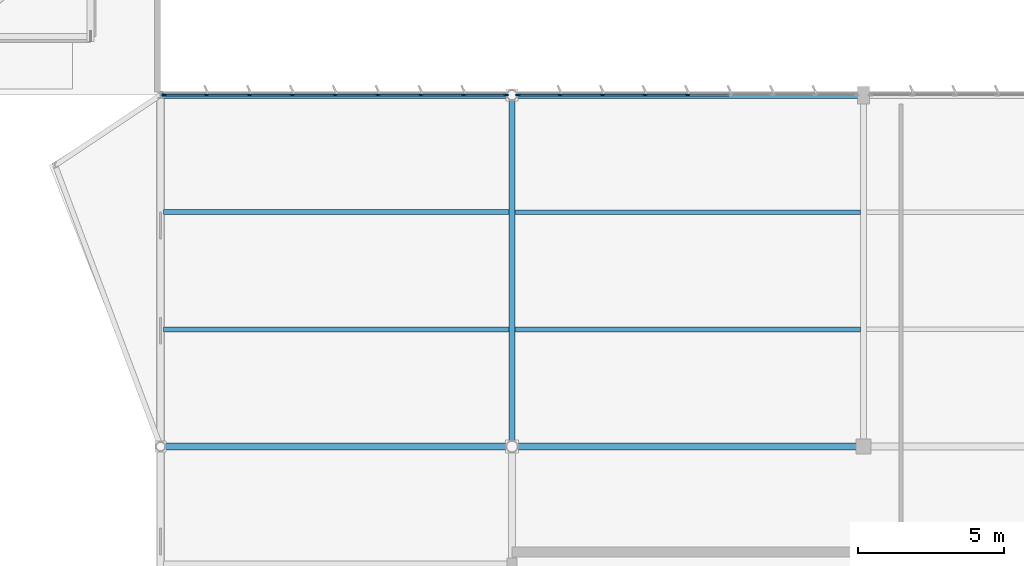
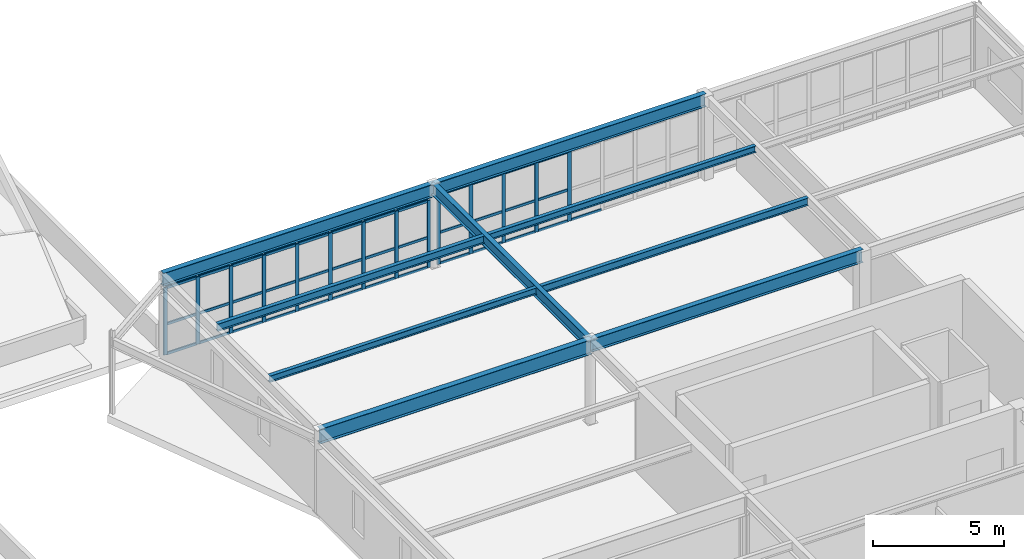
# One storey, part 57 of 128: 51 members, 9 beams, 2 elements without a shape of their own.
"""IFC4 building model written with IfcOpenShell, lengths in metres."""

from ifc_helpers import new_model, si_unit, direction, frame, origin, origin_2d, place, context, subcontext, project, spatial, rectangle, i_section, extrude, material, layer, layer_set, material_profile, profile_set, type_object, element, aggregate, save


model = new_model("IFC4")

# Units and contexts
model_context = context("Model", 3, precision=1e-05, world=origin(), true_north=direction((0.0, 1.0)))
body_context = subcontext(model_context, "Body", "Model", "MODEL_VIEW")
ifc_project = project(units=[si_unit("LENGTHUNIT", "METRE"), si_unit("AREAUNIT", "SQUARE_METRE"), si_unit("VOLUMEUNIT", "CUBIC_METRE"), si_unit("PLANEANGLEUNIT", "RADIAN"), si_unit("MASSUNIT", "GRAM", prefix="KILO")], contexts=[model_context])

# Site, building, storey
site_placement = place(None, origin())
site = spatial("IfcSite", under=ifc_project, at=site_placement, CompositionType="ELEMENT")
building_placement = place(site_placement, origin())
building = spatial("IfcBuilding", under=site, at=building_placement, Name="Tarnwether General Hospital", CompositionType="ELEMENT")
storey_placement = place(building_placement, frame((0.0, 0.0, 14.39990234375)))
storey = spatial("IfcBuildingStorey", under=building, at=storey_placement, Name="L03", CompositionType="ELEMENT", Elevation=14.39990234375)

# Beams
ifc_material_1 = material(Name="Steel Grade 350 (350 MPa)", Category="steel")
ifc_material_profile_1 = material_profile(ifc_material_1, i_section(OverallWidth=0.25, OverallDepth=0.69189453125, WebThickness=0.009033203125, FlangeThickness=0.01611328125, at=origin_2d()), Name="700WB115")
ifc_profile_set_1 = profile_set([ifc_material_profile_1], Name="Steel Grade 350 (350 MPa)")
beam_type_1 = type_object("IfcBeamType", Name="BM-G02", PredefinedType="BEAM", material=ifc_profile_set_1)
beam_1_placement = place(storey_placement, frame((144.0, 33.60009765625, 3.55419921875), z_axis=(1.0, 0.0, 0.0), x_axis=(0.0, 1.0, 0.0)))
element("IfcBeam", 1, at=beam_1_placement, inside=storey, type_object=beam_type_1, Name="Primary Girder BMG-L03-14400_3360-15600_3360-1760", PredefinedType="BEAM", context=body_context, shape_type="SweptSolid", body=[
    extrude(i_section(OverallWidth=0.25, OverallDepth=0.69189453125, WebThickness=0.009033203125, FlangeThickness=0.01611328125, at=origin_2d()), origin(), (0.0, 0.0, 1.0), 12.0),
])
ifc_material_2 = material(Name="Steel Grade 350 (350 MPa)", Category="steel")
ifc_material_profile_2 = material_profile(ifc_material_2, i_section(OverallWidth=0.22900390625, OverallDepth=0.612060546875, WebThickness=0.011962890625, FlangeThickness=0.01953125, at=origin_2d()), Name="610UB125")
ifc_profile_set_2 = profile_set([ifc_material_profile_2], Name="Steel Grade 350 (350 MPa)")
beam_type_2 = type_object("IfcBeamType", Name="BM-G03", PredefinedType="BEAM", material=ifc_profile_set_2)
for number, where, z_axis, x_axis, name in (
    (2, (144.0, 45.60009765625, 3.593994140625), (1.0, 0.0, 0.0), (0.0, 1.0, 0.0), "Primary Girder BMG-L03-14400_4560-15600_4560-1762"),
    (3, (156.0, 33.60009765625, 3.593994140625), (1.0, 0.0, 0.0), (0.0, 1.0, 0.0), "Primary Girder BMG-L03-15600_3360-16800_3360-1778"),
):
    element("IfcBeam", number, at=place(storey_placement, frame(where, z_axis=z_axis, x_axis=x_axis)), inside=storey, type_object=beam_type_2, Name=name, PredefinedType="BEAM", context=body_context, shape_type="SweptSolid", body=[
        extrude(i_section(OverallWidth=0.22900390625, OverallDepth=0.612060546875, WebThickness=0.011962890625, FlangeThickness=0.01953125, at=origin_2d()), origin(), (0.0, 0.0, 1.0), 12.0),
    ])
ifc_material_3 = material(Name="Steel Grade 350 (350 MPa)", Category="steel")
ifc_material_profile_3 = material_profile(ifc_material_3, i_section(OverallWidth=0.22802734375, OverallDepth=0.60693359375, WebThickness=0.01123046875, FlangeThickness=0.017333984375, at=origin_2d()), Name="610UB113")
ifc_profile_set_3 = profile_set([ifc_material_profile_3], Name="Steel Grade 350 (350 MPa)")
beam_type_3 = type_object("IfcBeamType", Name="BM-G04", PredefinedType="BEAM", material=ifc_profile_set_3)
beam_2_placement = place(storey_placement, frame((156.0, 45.60009765625, 3.5966796875), z_axis=(1.0, 0.0, 0.0), x_axis=(0.0, 1.0, 0.0)))
element("IfcBeam", 4, at=beam_2_placement, inside=storey, type_object=beam_type_3, Name="Primary Girder BMG-L03-15600_4560-16800_4560-1780", PredefinedType="BEAM", context=body_context, shape_type="SweptSolid", body=[
    extrude(i_section(OverallWidth=0.22802734375, OverallDepth=0.60693359375, WebThickness=0.01123046875, FlangeThickness=0.017333984375, at=origin_2d()), origin(), (0.0, 0.0, 1.0), 12.0),
])
ifc_material_4 = material(Name="Steel Grade 350 (350 MPa)", Category="steel")
ifc_material_profile_4 = material_profile(ifc_material_4, i_section(OverallWidth=0.208984375, OverallDepth=0.532958984375, WebThickness=0.01025390625, FlangeThickness=0.015625, at=origin_2d()), Name="530UB92.4")
ifc_profile_set_4 = profile_set([ifc_material_profile_4], Name="Steel Grade 350 (350 MPa)")
beam_type_4 = type_object("IfcBeamType", Name="BM-G06", PredefinedType="BEAM", material=ifc_profile_set_4)
beam_3_placement = place(storey_placement, frame((156.0, 33.60009765625, 3.633544921875), z_axis=(0.0, 1.0, 0.0), x_axis=(-1.0, 0.0, 0.0)))
element("IfcBeam", 5, at=beam_3_placement, inside=storey, type_object=beam_type_4, Name="Primary Girder BMG-L03-15600_3360-15600_4560-1779", PredefinedType="BEAM", context=body_context, shape_type="SweptSolid", body=[
    extrude(i_section(OverallWidth=0.208984375, OverallDepth=0.532958984375, WebThickness=0.01025390625, FlangeThickness=0.015625, at=origin_2d()), origin(), (0.0, 0.0, 1.0), 12.0),
])
ifc_material_5 = material(Name="Steel Grade 350 (350 MPa)", Category="steel")
ifc_material_profile_5 = material_profile(ifc_material_5, i_section(OverallWidth=0.166015625, OverallDepth=0.306884765625, WebThickness=0.006591796875, FlangeThickness=0.01171875, at=origin_2d()), Name="310UB46.2")
ifc_profile_set_5 = profile_set([ifc_material_profile_5], Name="Steel Grade 350 (350 MPa)")
beam_type_5 = type_object("IfcBeamType", Name="BM-J05", PredefinedType="JOIST", material=ifc_profile_set_5)
beam_4_placement = place(storey_placement, frame((144.10791015625, 37.60009765625, 3.74658203125), z_axis=(1.0, 0.0, 0.0), x_axis=(0.0, 1.0, 0.0)))
element("IfcBeam", 6, at=beam_4_placement, inside=storey, type_object=beam_type_5, Name="Composite Floor Joist BMG-L03-14411_3760-15590_3760-1820", PredefinedType="JOIST", context=body_context, shape_type="SweptSolid", body=[
    extrude(i_section(OverallWidth=0.166015625, OverallDepth=0.306884765625, WebThickness=0.006591796875, FlangeThickness=0.01171875, at=origin_2d()), origin(), (0.0, 0.0, 1.0), 11.79296875),
])
ifc_material_6 = material(Name="Steel Grade 350 (350 MPa)", Category="steel")
ifc_material_profile_6 = material_profile(ifc_material_6, i_section(OverallWidth=0.1708984375, OverallDepth=0.35205078125, WebThickness=0.0068359375, FlangeThickness=0.009765625, at=origin_2d()), Name="360UB44.7")
ifc_profile_set_6 = profile_set([ifc_material_profile_6], Name="Steel Grade 350 (350 MPa)")
beam_type_6 = type_object("IfcBeamType", Name="BM-J06", PredefinedType="JOIST", material=ifc_profile_set_6)
beam_5_placement = place(storey_placement, frame((144.10791015625, 41.60009765625, 3.72412109375), z_axis=(1.0, 0.0, 0.0), x_axis=(0.0, 1.0, 0.0)))
element("IfcBeam", 7, at=beam_5_placement, inside=storey, type_object=beam_type_6, Name="Composite Floor Joist BMG-L03-14411_4160-15590_4160-1821", PredefinedType="JOIST", context=body_context, shape_type="SweptSolid", body=[
    extrude(i_section(OverallWidth=0.1708984375, OverallDepth=0.35205078125, WebThickness=0.0068359375, FlangeThickness=0.009765625, at=origin_2d()), origin(), (0.0, 0.0, 1.0), 11.79296875),
])
beam_6_placement = place(storey_placement, frame((156.09912109375, 37.60009765625, 3.72412109375), z_axis=(1.0, 0.0, 0.0), x_axis=(0.0, 1.0, 0.0)))
element("IfcBeam", 8, at=beam_6_placement, inside=storey, type_object=beam_type_6, Name="Composite Floor Joist BMG-L03-15610_3760-16790_3760-1834", PredefinedType="JOIST", context=body_context, shape_type="SweptSolid", body=[
    extrude(i_section(OverallWidth=0.1708984375, OverallDepth=0.35205078125, WebThickness=0.0068359375, FlangeThickness=0.009765625, at=origin_2d()), origin(), (0.0, 0.0, 1.0), 11.8017578125),
])
ifc_material_7 = material(Name="Steel Grade 350 (350 MPa)", Category="steel")
ifc_material_profile_7 = material_profile(ifc_material_7, i_section(OverallWidth=0.1650390625, OverallDepth=0.303955078125, WebThickness=0.006103515625, FlangeThickness=0.01025390625, at=origin_2d()), Name="310UB40.4")
ifc_profile_set_7 = profile_set([ifc_material_profile_7], Name="Steel Grade 350 (350 MPa)")
beam_type_7 = type_object("IfcBeamType", Name="BM-J07", PredefinedType="JOIST", material=ifc_profile_set_7)
beam_7_placement = place(storey_placement, frame((156.09912109375, 41.60009765625, 3.748046875), z_axis=(1.0, 0.0, 0.0), x_axis=(0.0, 1.0, 0.0)))
element("IfcBeam", 9, at=beam_7_placement, inside=storey, type_object=beam_type_7, Name="Composite Floor Joist BMG-L03-15610_4160-16790_4160-1835", PredefinedType="JOIST", context=body_context, shape_type="SweptSolid", body=[
    extrude(i_section(OverallWidth=0.1650390625, OverallDepth=0.303955078125, WebThickness=0.006103515625, FlangeThickness=0.01025390625, at=origin_2d()), origin(), (0.0, 0.0, 1.0), 11.8017578125),
])

# Curtain wall, members
ifc_material_8 = material(Name="Anodised aluminium", Category="aluminium")
ifc_layer = layer(ifc_material_8, 0.159912109375)
ifc_layer_set = layer_set([ifc_layer], Name="Anodised aluminium")
curtain_wall_type = type_object("IfcCurtainWallType", Name="CW-18", PredefinedType="NOTDEFINED", material=ifc_layer_set)
curtain_wall_1_placement = place(storey_placement, origin())
curtain_wall_1 = element("IfcCurtainWall", 10, at=curtain_wall_1_placement, inside=storey, type_object=curtain_wall_type, Name="Curtain Wall CWG-L03-1441_456-0476", PredefinedType="NOTDEFINED")
ifc_material_9 = material(Name="Anodised aluminium", Category="aluminium")
ifc_material_profile_8 = material_profile(ifc_material_9, rectangle(XDim=0.06005859375, YDim=0.159912109375, at=origin_2d()), Name="ALU-MUL-60x160")
ifc_profile_set_8 = profile_set([ifc_material_profile_8], Name="Anodised aluminium")
member_type_1 = type_object("IfcMemberType", Name="CW-ML1", PredefinedType="MULLION", material=ifc_profile_set_8)
member_1_placement = place(storey_placement, frame((144.138916015625, 45.60009765625, 0.0), z_axis=(0.0, 0.0, 1.0), x_axis=(0.0, 1.0, 0.0)))
member_1 = element("IfcMember", 11, at=member_1_placement, type_object=member_type_1, Name="CW-18 mullion 1", PredefinedType="MULLION", context=body_context, shape_type="SweptSolid", body=[
    extrude(rectangle(XDim=0.06005859375, YDim=0.159912109375, at=origin_2d()), origin(), (0.0, 0.0, 1.0), 3.14208984375),
])
member_2_placement = place(storey_placement, frame((145.572021484375, 45.60009765625, 0.0), z_axis=(0.0, 0.0, 1.0), x_axis=(0.0, 1.0, 0.0)))
member_2 = element("IfcMember", 12, at=member_2_placement, type_object=member_type_1, Name="CW-18 mullion 2", PredefinedType="MULLION", context=body_context, shape_type="SweptSolid", body=[
    extrude(rectangle(XDim=0.06005859375, YDim=0.159912109375, at=origin_2d()), origin(), (0.0, 0.0, 1.0), 3.14208984375),
])
member_3_placement = place(storey_placement, frame((147.03515625, 45.60009765625, 0.0), z_axis=(0.0, 0.0, 1.0), x_axis=(0.0, 1.0, 0.0)))
member_3 = element("IfcMember", 13, at=member_3_placement, type_object=member_type_1, Name="CW-18 mullion 3", PredefinedType="MULLION", context=body_context, shape_type="SweptSolid", body=[
    extrude(rectangle(XDim=0.06005859375, YDim=0.159912109375, at=origin_2d()), origin(), (0.0, 0.0, 1.0), 3.14208984375),
])
member_4_placement = place(storey_placement, frame((148.498291015625, 45.60009765625, 0.0), z_axis=(0.0, 0.0, 1.0), x_axis=(0.0, 1.0, 0.0)))
member_4 = element("IfcMember", 14, at=member_4_placement, type_object=member_type_1, Name="CW-18 mullion 4", PredefinedType="MULLION", context=body_context, shape_type="SweptSolid", body=[
    extrude(rectangle(XDim=0.06005859375, YDim=0.159912109375, at=origin_2d()), origin(), (0.0, 0.0, 1.0), 3.14208984375),
])
member_5_placement = place(storey_placement, frame((149.96142578125, 45.60009765625, 0.0), z_axis=(0.0, 0.0, 1.0), x_axis=(0.0, 1.0, 0.0)))
member_5 = element("IfcMember", 15, at=member_5_placement, type_object=member_type_1, Name="CW-18 mullion 5", PredefinedType="MULLION", context=body_context, shape_type="SweptSolid", body=[
    extrude(rectangle(XDim=0.06005859375, YDim=0.159912109375, at=origin_2d()), origin(), (0.0, 0.0, 1.0), 3.14208984375),
])
member_6_placement = place(storey_placement, frame((151.424560546875, 45.60009765625, 0.0), z_axis=(0.0, 0.0, 1.0), x_axis=(0.0, 1.0, 0.0)))
member_6 = element("IfcMember", 16, at=member_6_placement, type_object=member_type_1, Name="CW-18 mullion 6", PredefinedType="MULLION", context=body_context, shape_type="SweptSolid", body=[
    extrude(rectangle(XDim=0.06005859375, YDim=0.159912109375, at=origin_2d()), origin(), (0.0, 0.0, 1.0), 3.14208984375),
])
member_7_placement = place(storey_placement, frame((152.8876953125, 45.60009765625, 0.0), z_axis=(0.0, 0.0, 1.0), x_axis=(0.0, 1.0, 0.0)))
member_7 = element("IfcMember", 17, at=member_7_placement, type_object=member_type_1, Name="CW-18 mullion 7", PredefinedType="MULLION", context=body_context, shape_type="SweptSolid", body=[
    extrude(rectangle(XDim=0.06005859375, YDim=0.159912109375, at=origin_2d()), origin(), (0.0, 0.0, 1.0), 3.14208984375),
])
member_8_placement = place(storey_placement, frame((154.350830078125, 45.60009765625, 0.0), z_axis=(0.0, 0.0, 1.0), x_axis=(0.0, 1.0, 0.0)))
member_8 = element("IfcMember", 18, at=member_8_placement, type_object=member_type_1, Name="CW-18 mullion 8", PredefinedType="MULLION", context=body_context, shape_type="SweptSolid", body=[
    extrude(rectangle(XDim=0.06005859375, YDim=0.159912109375, at=origin_2d()), origin(), (0.0, 0.0, 1.0), 3.14208984375),
])
member_9_placement = place(storey_placement, frame((155.783935546875, 45.60009765625, 0.0), z_axis=(0.0, 0.0, 1.0), x_axis=(0.0, 1.0, 0.0)))
member_9 = element("IfcMember", 19, at=member_9_placement, type_object=member_type_1, Name="CW-18 mullion 9", PredefinedType="MULLION", context=body_context, shape_type="SweptSolid", body=[
    extrude(rectangle(XDim=0.06005859375, YDim=0.159912109375, at=origin_2d()), origin(), (0.0, 0.0, 1.0), 3.14208984375),
])

curtain_wall_2_placement = place(storey_placement, origin())
curtain_wall_2 = element("IfcCurtainWall", 20, at=curtain_wall_2_placement, inside=storey, type_object=curtain_wall_type, Name="Curtain Wall CWG-L03-1562_456-0477", PredefinedType="NOTDEFINED")
member_10_placement = place(storey_placement, frame((156.216064453125, 45.60009765625, 0.0), z_axis=(0.0, 0.0, 1.0), x_axis=(0.0, 1.0, 0.0)))
member_10 = element("IfcMember", 21, at=member_10_placement, type_object=member_type_1, Name="CW-18 mullion 1", PredefinedType="MULLION", context=body_context, shape_type="SweptSolid", body=[
    extrude(rectangle(XDim=0.06005859375, YDim=0.159912109375, at=origin_2d()), origin(), (0.0, 0.0, 1.0), 3.273193359375),
])
member_11_placement = place(storey_placement, frame((157.63671875, 45.60009765625, 0.0), z_axis=(0.0, 0.0, 1.0), x_axis=(0.0, 1.0, 0.0)))
member_11 = element("IfcMember", 22, at=member_11_placement, type_object=member_type_1, Name="CW-18 mullion 2", PredefinedType="MULLION", context=body_context, shape_type="SweptSolid", body=[
    extrude(rectangle(XDim=0.06005859375, YDim=0.159912109375, at=origin_2d()), origin(), (0.0, 0.0, 1.0), 3.273193359375),
])
member_12_placement = place(storey_placement, frame((159.08740234375, 45.60009765625, 0.0), z_axis=(0.0, 0.0, 1.0), x_axis=(0.0, 1.0, 0.0)))
member_12 = element("IfcMember", 23, at=member_12_placement, type_object=member_type_1, Name="CW-18 mullion 3", PredefinedType="MULLION", context=body_context, shape_type="SweptSolid", body=[
    extrude(rectangle(XDim=0.06005859375, YDim=0.159912109375, at=origin_2d()), origin(), (0.0, 0.0, 1.0), 3.273193359375),
])
member_13_placement = place(storey_placement, frame((160.538330078125, 45.60009765625, 0.0), z_axis=(0.0, 0.0, 1.0), x_axis=(0.0, 1.0, 0.0)))
member_13 = element("IfcMember", 24, at=member_13_placement, type_object=member_type_1, Name="CW-18 mullion 4", PredefinedType="MULLION", context=body_context, shape_type="SweptSolid", body=[
    extrude(rectangle(XDim=0.06005859375, YDim=0.159912109375, at=origin_2d()), origin(), (0.0, 0.0, 1.0), 3.273193359375),
])
member_14_placement = place(storey_placement, frame((161.989013671875, 45.60009765625, 0.0), z_axis=(0.0, 0.0, 1.0), x_axis=(0.0, 1.0, 0.0)))
member_14 = element("IfcMember", 25, at=member_14_placement, type_object=member_type_1, Name="CW-18 mullion 5", PredefinedType="MULLION", context=body_context, shape_type="SweptSolid", body=[
    extrude(rectangle(XDim=0.06005859375, YDim=0.159912109375, at=origin_2d()), origin(), (0.0, 0.0, 1.0), 3.273193359375),
])

# Member
ifc_material_10 = material(Name="Anodised aluminium", Category="aluminium")
ifc_material_profile_9 = material_profile(ifc_material_10, rectangle(XDim=0.06005859375, YDim=0.1201171875, at=origin_2d()), Name="ALU-TRN-60x120")
ifc_profile_set_9 = profile_set([ifc_material_profile_9], Name="Anodised aluminium")
member_type_2 = type_object("IfcMemberType", Name="CW-TR1", PredefinedType="USERDEFINED", material=ifc_profile_set_9)
member_15_placement = place(storey_placement, frame((144.1689453125, 45.60009765625, 0.030029296875), z_axis=(1.0, 0.0, 0.0), x_axis=(0.0, 1.0, 0.0)))
member_15 = element("IfcMember", 26, at=member_15_placement, type_object=member_type_2, Name="CW-18 transom 1.1", ObjectType="TRANSOM", PredefinedType="USERDEFINED", context=body_context, shape_type="SweptSolid", body=[
    extrude(rectangle(XDim=0.06005859375, YDim=0.1201171875, at=origin_2d()), origin(), (0.0, 0.0, 1.0), 1.373291015625),
])

member_16_placement = place(storey_placement, frame((144.1689453125, 45.60009765625, 1.4140625), z_axis=(1.0, 0.0, 0.0), x_axis=(0.0, 1.0, 0.0)))
member_16 = element("IfcMember", 27, at=member_16_placement, type_object=member_type_2, Name="CW-18 transom 1.2", ObjectType="TRANSOM", PredefinedType="USERDEFINED", context=body_context, shape_type="SweptSolid", body=[
    extrude(rectangle(XDim=0.06005859375, YDim=0.1201171875, at=origin_2d()), origin(), (0.0, 0.0, 1.0), 1.373291015625),
])

member_17_placement = place(storey_placement, frame((144.1689453125, 45.60009765625, 3.112060546875), z_axis=(1.0, 0.0, 0.0), x_axis=(0.0, 1.0, 0.0)))
member_17 = element("IfcMember", 28, at=member_17_placement, type_object=member_type_2, Name="CW-18 transom 1.3", ObjectType="TRANSOM", PredefinedType="USERDEFINED", context=body_context, shape_type="SweptSolid", body=[
    extrude(rectangle(XDim=0.06005859375, YDim=0.1201171875, at=origin_2d()), origin(), (0.0, 0.0, 1.0), 1.373291015625),
])

member_18_placement = place(storey_placement, frame((145.60205078125, 45.60009765625, 0.030029296875), z_axis=(1.0, 0.0, 0.0), x_axis=(0.0, 1.0, 0.0)))
member_18 = element("IfcMember", 29, at=member_18_placement, type_object=member_type_2, Name="CW-18 transom 2.1", ObjectType="TRANSOM", PredefinedType="USERDEFINED", context=body_context, shape_type="SweptSolid", body=[
    extrude(rectangle(XDim=0.06005859375, YDim=0.1201171875, at=origin_2d()), origin(), (0.0, 0.0, 1.0), 1.4033203125),
])

member_19_placement = place(storey_placement, frame((145.60205078125, 45.60009765625, 1.4140625), z_axis=(1.0, 0.0, 0.0), x_axis=(0.0, 1.0, 0.0)))
member_19 = element("IfcMember", 30, at=member_19_placement, type_object=member_type_2, Name="CW-18 transom 2.2", ObjectType="TRANSOM", PredefinedType="USERDEFINED", context=body_context, shape_type="SweptSolid", body=[
    extrude(rectangle(XDim=0.06005859375, YDim=0.1201171875, at=origin_2d()), origin(), (0.0, 0.0, 1.0), 1.4033203125),
])

member_20_placement = place(storey_placement, frame((145.60205078125, 45.60009765625, 3.112060546875), z_axis=(1.0, 0.0, 0.0), x_axis=(0.0, 1.0, 0.0)))
member_20 = element("IfcMember", 31, at=member_20_placement, type_object=member_type_2, Name="CW-18 transom 2.3", ObjectType="TRANSOM", PredefinedType="USERDEFINED", context=body_context, shape_type="SweptSolid", body=[
    extrude(rectangle(XDim=0.06005859375, YDim=0.1201171875, at=origin_2d()), origin(), (0.0, 0.0, 1.0), 1.4033203125),
])

member_21_placement = place(storey_placement, frame((147.065185546875, 45.60009765625, 0.030029296875), z_axis=(1.0, 0.0, 0.0), x_axis=(0.0, 1.0, 0.0)))
member_21 = element("IfcMember", 32, at=member_21_placement, type_object=member_type_2, Name="CW-18 transom 3.1", ObjectType="TRANSOM", PredefinedType="USERDEFINED", context=body_context, shape_type="SweptSolid", body=[
    extrude(rectangle(XDim=0.06005859375, YDim=0.1201171875, at=origin_2d()), origin(), (0.0, 0.0, 1.0), 1.403076171875),
])

member_22_placement = place(storey_placement, frame((147.065185546875, 45.60009765625, 1.4140625), z_axis=(1.0, 0.0, 0.0), x_axis=(0.0, 1.0, 0.0)))
member_22 = element("IfcMember", 33, at=member_22_placement, type_object=member_type_2, Name="CW-18 transom 3.2", ObjectType="TRANSOM", PredefinedType="USERDEFINED", context=body_context, shape_type="SweptSolid", body=[
    extrude(rectangle(XDim=0.06005859375, YDim=0.1201171875, at=origin_2d()), origin(), (0.0, 0.0, 1.0), 1.403076171875),
])

member_23_placement = place(storey_placement, frame((147.065185546875, 45.60009765625, 3.112060546875), z_axis=(1.0, 0.0, 0.0), x_axis=(0.0, 1.0, 0.0)))
member_23 = element("IfcMember", 34, at=member_23_placement, type_object=member_type_2, Name="CW-18 transom 3.3", ObjectType="TRANSOM", PredefinedType="USERDEFINED", context=body_context, shape_type="SweptSolid", body=[
    extrude(rectangle(XDim=0.06005859375, YDim=0.1201171875, at=origin_2d()), origin(), (0.0, 0.0, 1.0), 1.403076171875),
])

member_24_placement = place(storey_placement, frame((148.5283203125, 45.60009765625, 0.030029296875), z_axis=(1.0, 0.0, 0.0), x_axis=(0.0, 1.0, 0.0)))
member_24 = element("IfcMember", 35, at=member_24_placement, type_object=member_type_2, Name="CW-18 transom 4.1", ObjectType="TRANSOM", PredefinedType="USERDEFINED", context=body_context, shape_type="SweptSolid", body=[
    extrude(rectangle(XDim=0.06005859375, YDim=0.1201171875, at=origin_2d()), origin(), (0.0, 0.0, 1.0), 1.403076171875),
])

member_25_placement = place(storey_placement, frame((148.5283203125, 45.60009765625, 1.4140625), z_axis=(1.0, 0.0, 0.0), x_axis=(0.0, 1.0, 0.0)))
member_25 = element("IfcMember", 36, at=member_25_placement, type_object=member_type_2, Name="CW-18 transom 4.2", ObjectType="TRANSOM", PredefinedType="USERDEFINED", context=body_context, shape_type="SweptSolid", body=[
    extrude(rectangle(XDim=0.06005859375, YDim=0.1201171875, at=origin_2d()), origin(), (0.0, 0.0, 1.0), 1.403076171875),
])

member_26_placement = place(storey_placement, frame((148.5283203125, 45.60009765625, 3.112060546875), z_axis=(1.0, 0.0, 0.0), x_axis=(0.0, 1.0, 0.0)))
member_26 = element("IfcMember", 37, at=member_26_placement, type_object=member_type_2, Name="CW-18 transom 4.3", ObjectType="TRANSOM", PredefinedType="USERDEFINED", context=body_context, shape_type="SweptSolid", body=[
    extrude(rectangle(XDim=0.06005859375, YDim=0.1201171875, at=origin_2d()), origin(), (0.0, 0.0, 1.0), 1.403076171875),
])

member_27_placement = place(storey_placement, frame((149.991455078125, 45.60009765625, 0.030029296875), z_axis=(1.0, 0.0, 0.0), x_axis=(0.0, 1.0, 0.0)))
member_27 = element("IfcMember", 38, at=member_27_placement, type_object=member_type_2, Name="CW-18 transom 5.1", ObjectType="TRANSOM", PredefinedType="USERDEFINED", context=body_context, shape_type="SweptSolid", body=[
    extrude(rectangle(XDim=0.06005859375, YDim=0.1201171875, at=origin_2d()), origin(), (0.0, 0.0, 1.0), 1.403076171875),
])

member_28_placement = place(storey_placement, frame((149.991455078125, 45.60009765625, 1.4140625), z_axis=(1.0, 0.0, 0.0), x_axis=(0.0, 1.0, 0.0)))
member_28 = element("IfcMember", 39, at=member_28_placement, type_object=member_type_2, Name="CW-18 transom 5.2", ObjectType="TRANSOM", PredefinedType="USERDEFINED", context=body_context, shape_type="SweptSolid", body=[
    extrude(rectangle(XDim=0.06005859375, YDim=0.1201171875, at=origin_2d()), origin(), (0.0, 0.0, 1.0), 1.403076171875),
])

member_29_placement = place(storey_placement, frame((149.991455078125, 45.60009765625, 3.112060546875), z_axis=(1.0, 0.0, 0.0), x_axis=(0.0, 1.0, 0.0)))
member_29 = element("IfcMember", 40, at=member_29_placement, type_object=member_type_2, Name="CW-18 transom 5.3", ObjectType="TRANSOM", PredefinedType="USERDEFINED", context=body_context, shape_type="SweptSolid", body=[
    extrude(rectangle(XDim=0.06005859375, YDim=0.1201171875, at=origin_2d()), origin(), (0.0, 0.0, 1.0), 1.403076171875),
])

member_30_placement = place(storey_placement, frame((151.45458984375, 45.60009765625, 0.030029296875), z_axis=(1.0, 0.0, 0.0), x_axis=(0.0, 1.0, 0.0)))
member_30 = element("IfcMember", 41, at=member_30_placement, type_object=member_type_2, Name="CW-18 transom 6.1", ObjectType="TRANSOM", PredefinedType="USERDEFINED", context=body_context, shape_type="SweptSolid", body=[
    extrude(rectangle(XDim=0.06005859375, YDim=0.1201171875, at=origin_2d()), origin(), (0.0, 0.0, 1.0), 1.403076171875),
])

member_31_placement = place(storey_placement, frame((151.45458984375, 45.60009765625, 1.4140625), z_axis=(1.0, 0.0, 0.0), x_axis=(0.0, 1.0, 0.0)))
member_31 = element("IfcMember", 42, at=member_31_placement, type_object=member_type_2, Name="CW-18 transom 6.2", ObjectType="TRANSOM", PredefinedType="USERDEFINED", context=body_context, shape_type="SweptSolid", body=[
    extrude(rectangle(XDim=0.06005859375, YDim=0.1201171875, at=origin_2d()), origin(), (0.0, 0.0, 1.0), 1.403076171875),
])

member_32_placement = place(storey_placement, frame((151.45458984375, 45.60009765625, 3.112060546875), z_axis=(1.0, 0.0, 0.0), x_axis=(0.0, 1.0, 0.0)))
member_32 = element("IfcMember", 43, at=member_32_placement, type_object=member_type_2, Name="CW-18 transom 6.3", ObjectType="TRANSOM", PredefinedType="USERDEFINED", context=body_context, shape_type="SweptSolid", body=[
    extrude(rectangle(XDim=0.06005859375, YDim=0.1201171875, at=origin_2d()), origin(), (0.0, 0.0, 1.0), 1.403076171875),
])

member_33_placement = place(storey_placement, frame((152.917724609375, 45.60009765625, 0.030029296875), z_axis=(1.0, 0.0, 0.0), x_axis=(0.0, 1.0, 0.0)))
member_33 = element("IfcMember", 44, at=member_33_placement, type_object=member_type_2, Name="CW-18 transom 7.1", ObjectType="TRANSOM", PredefinedType="USERDEFINED", context=body_context, shape_type="SweptSolid", body=[
    extrude(rectangle(XDim=0.06005859375, YDim=0.1201171875, at=origin_2d()), origin(), (0.0, 0.0, 1.0), 1.403076171875),
])

member_34_placement = place(storey_placement, frame((152.917724609375, 45.60009765625, 1.4140625), z_axis=(1.0, 0.0, 0.0), x_axis=(0.0, 1.0, 0.0)))
member_34 = element("IfcMember", 45, at=member_34_placement, type_object=member_type_2, Name="CW-18 transom 7.2", ObjectType="TRANSOM", PredefinedType="USERDEFINED", context=body_context, shape_type="SweptSolid", body=[
    extrude(rectangle(XDim=0.06005859375, YDim=0.1201171875, at=origin_2d()), origin(), (0.0, 0.0, 1.0), 1.403076171875),
])

member_35_placement = place(storey_placement, frame((152.917724609375, 45.60009765625, 3.112060546875), z_axis=(1.0, 0.0, 0.0), x_axis=(0.0, 1.0, 0.0)))
member_35 = element("IfcMember", 46, at=member_35_placement, type_object=member_type_2, Name="CW-18 transom 7.3", ObjectType="TRANSOM", PredefinedType="USERDEFINED", context=body_context, shape_type="SweptSolid", body=[
    extrude(rectangle(XDim=0.06005859375, YDim=0.1201171875, at=origin_2d()), origin(), (0.0, 0.0, 1.0), 1.403076171875),
])

member_36_placement = place(storey_placement, frame((154.380859375, 45.60009765625, 0.030029296875), z_axis=(1.0, 0.0, 0.0), x_axis=(0.0, 1.0, 0.0)))
member_36 = element("IfcMember", 47, at=member_36_placement, type_object=member_type_2, Name="CW-18 transom 8.1", ObjectType="TRANSOM", PredefinedType="USERDEFINED", context=body_context, shape_type="SweptSolid", body=[
    extrude(rectangle(XDim=0.06005859375, YDim=0.1201171875, at=origin_2d()), origin(), (0.0, 0.0, 1.0), 1.373046875),
])

member_37_placement = place(storey_placement, frame((154.380859375, 45.60009765625, 1.4140625), z_axis=(1.0, 0.0, 0.0), x_axis=(0.0, 1.0, 0.0)))
member_37 = element("IfcMember", 48, at=member_37_placement, type_object=member_type_2, Name="CW-18 transom 8.2", ObjectType="TRANSOM", PredefinedType="USERDEFINED", context=body_context, shape_type="SweptSolid", body=[
    extrude(rectangle(XDim=0.06005859375, YDim=0.1201171875, at=origin_2d()), origin(), (0.0, 0.0, 1.0), 1.373046875),
])

member_38_placement = place(storey_placement, frame((154.380859375, 45.60009765625, 3.112060546875), z_axis=(1.0, 0.0, 0.0), x_axis=(0.0, 1.0, 0.0)))
member_38 = element("IfcMember", 49, at=member_38_placement, type_object=member_type_2, Name="CW-18 transom 8.3", ObjectType="TRANSOM", PredefinedType="USERDEFINED", context=body_context, shape_type="SweptSolid", body=[
    extrude(rectangle(XDim=0.06005859375, YDim=0.1201171875, at=origin_2d()), origin(), (0.0, 0.0, 1.0), 1.373046875),
])

aggregate(curtain_wall_1, [member_1, member_2, member_3, member_4, member_5, member_6, member_7, member_8, member_9, member_15, member_16, member_17, member_18, member_19, member_20, member_21, member_22, member_23, member_24, member_25, member_26, member_27, member_28, member_29, member_30, member_31, member_32, member_33, member_34, member_35, member_36, member_37, member_38])

member_39_placement = place(storey_placement, frame((156.24609375, 45.60009765625, 0.030029296875), z_axis=(1.0, 0.0, 0.0), x_axis=(0.0, 1.0, 0.0)))
member_39 = element("IfcMember", 50, at=member_39_placement, type_object=member_type_2, Name="CW-18 transom 1.1", ObjectType="TRANSOM", PredefinedType="USERDEFINED", context=body_context, shape_type="SweptSolid", body=[
    extrude(rectangle(XDim=0.06005859375, YDim=0.1201171875, at=origin_2d()), origin(), (0.0, 0.0, 1.0), 1.360595703125),
])

member_40_placement = place(storey_placement, frame((156.24609375, 45.60009765625, 1.472900390625), z_axis=(1.0, 0.0, 0.0), x_axis=(0.0, 1.0, 0.0)))
member_40 = element("IfcMember", 51, at=member_40_placement, type_object=member_type_2, Name="CW-18 transom 1.2", ObjectType="TRANSOM", PredefinedType="USERDEFINED", context=body_context, shape_type="SweptSolid", body=[
    extrude(rectangle(XDim=0.06005859375, YDim=0.1201171875, at=origin_2d()), origin(), (0.0, 0.0, 1.0), 1.360595703125),
])

member_41_placement = place(storey_placement, frame((156.24609375, 45.60009765625, 3.2431640625), z_axis=(1.0, 0.0, 0.0), x_axis=(0.0, 1.0, 0.0)))
member_41 = element("IfcMember", 52, at=member_41_placement, type_object=member_type_2, Name="CW-18 transom 1.3", ObjectType="TRANSOM", PredefinedType="USERDEFINED", context=body_context, shape_type="SweptSolid", body=[
    extrude(rectangle(XDim=0.06005859375, YDim=0.1201171875, at=origin_2d()), origin(), (0.0, 0.0, 1.0), 1.360595703125),
])

member_42_placement = place(storey_placement, frame((157.666748046875, 45.60009765625, 0.030029296875), z_axis=(1.0, 0.0, 0.0), x_axis=(0.0, 1.0, 0.0)))
member_42 = element("IfcMember", 53, at=member_42_placement, type_object=member_type_2, Name="CW-18 transom 2.1", ObjectType="TRANSOM", PredefinedType="USERDEFINED", context=body_context, shape_type="SweptSolid", body=[
    extrude(rectangle(XDim=0.06005859375, YDim=0.1201171875, at=origin_2d()), origin(), (0.0, 0.0, 1.0), 1.390869140625),
])

member_43_placement = place(storey_placement, frame((157.666748046875, 45.60009765625, 1.472900390625), z_axis=(1.0, 0.0, 0.0), x_axis=(0.0, 1.0, 0.0)))
member_43 = element("IfcMember", 54, at=member_43_placement, type_object=member_type_2, Name="CW-18 transom 2.2", ObjectType="TRANSOM", PredefinedType="USERDEFINED", context=body_context, shape_type="SweptSolid", body=[
    extrude(rectangle(XDim=0.06005859375, YDim=0.1201171875, at=origin_2d()), origin(), (0.0, 0.0, 1.0), 1.390869140625),
])

member_44_placement = place(storey_placement, frame((157.666748046875, 45.60009765625, 3.2431640625), z_axis=(1.0, 0.0, 0.0), x_axis=(0.0, 1.0, 0.0)))
member_44 = element("IfcMember", 55, at=member_44_placement, type_object=member_type_2, Name="CW-18 transom 2.3", ObjectType="TRANSOM", PredefinedType="USERDEFINED", context=body_context, shape_type="SweptSolid", body=[
    extrude(rectangle(XDim=0.06005859375, YDim=0.1201171875, at=origin_2d()), origin(), (0.0, 0.0, 1.0), 1.390869140625),
])

member_45_placement = place(storey_placement, frame((159.117431640625, 45.60009765625, 0.030029296875), z_axis=(1.0, 0.0, 0.0), x_axis=(0.0, 1.0, 0.0)))
member_45 = element("IfcMember", 56, at=member_45_placement, type_object=member_type_2, Name="CW-18 transom 3.1", ObjectType="TRANSOM", PredefinedType="USERDEFINED", context=body_context, shape_type="SweptSolid", body=[
    extrude(rectangle(XDim=0.06005859375, YDim=0.1201171875, at=origin_2d()), origin(), (0.0, 0.0, 1.0), 1.390869140625),
])

member_46_placement = place(storey_placement, frame((159.117431640625, 45.60009765625, 1.472900390625), z_axis=(1.0, 0.0, 0.0), x_axis=(0.0, 1.0, 0.0)))
member_46 = element("IfcMember", 57, at=member_46_placement, type_object=member_type_2, Name="CW-18 transom 3.2", ObjectType="TRANSOM", PredefinedType="USERDEFINED", context=body_context, shape_type="SweptSolid", body=[
    extrude(rectangle(XDim=0.06005859375, YDim=0.1201171875, at=origin_2d()), origin(), (0.0, 0.0, 1.0), 1.390869140625),
])

member_47_placement = place(storey_placement, frame((159.117431640625, 45.60009765625, 3.2431640625), z_axis=(1.0, 0.0, 0.0), x_axis=(0.0, 1.0, 0.0)))
member_47 = element("IfcMember", 58, at=member_47_placement, type_object=member_type_2, Name="CW-18 transom 3.3", ObjectType="TRANSOM", PredefinedType="USERDEFINED", context=body_context, shape_type="SweptSolid", body=[
    extrude(rectangle(XDim=0.06005859375, YDim=0.1201171875, at=origin_2d()), origin(), (0.0, 0.0, 1.0), 1.390869140625),
])

member_48_placement = place(storey_placement, frame((160.568359375, 45.60009765625, 0.030029296875), z_axis=(1.0, 0.0, 0.0), x_axis=(0.0, 1.0, 0.0)))
member_48 = element("IfcMember", 59, at=member_48_placement, type_object=member_type_2, Name="CW-18 transom 4.1", ObjectType="TRANSOM", PredefinedType="USERDEFINED", context=body_context, shape_type="SweptSolid", body=[
    extrude(rectangle(XDim=0.06005859375, YDim=0.1201171875, at=origin_2d()), origin(), (0.0, 0.0, 1.0), 1.390625),
])

member_49_placement = place(storey_placement, frame((160.568359375, 45.60009765625, 1.472900390625), z_axis=(1.0, 0.0, 0.0), x_axis=(0.0, 1.0, 0.0)))
member_49 = element("IfcMember", 60, at=member_49_placement, type_object=member_type_2, Name="CW-18 transom 4.2", ObjectType="TRANSOM", PredefinedType="USERDEFINED", context=body_context, shape_type="SweptSolid", body=[
    extrude(rectangle(XDim=0.06005859375, YDim=0.1201171875, at=origin_2d()), origin(), (0.0, 0.0, 1.0), 1.390625),
])

member_50_placement = place(storey_placement, frame((160.568359375, 45.60009765625, 3.2431640625), z_axis=(1.0, 0.0, 0.0), x_axis=(0.0, 1.0, 0.0)))
member_50 = element("IfcMember", 61, at=member_50_placement, type_object=member_type_2, Name="CW-18 transom 4.3", ObjectType="TRANSOM", PredefinedType="USERDEFINED", context=body_context, shape_type="SweptSolid", body=[
    extrude(rectangle(XDim=0.06005859375, YDim=0.1201171875, at=origin_2d()), origin(), (0.0, 0.0, 1.0), 1.390625),
])

member_51_placement = place(storey_placement, frame((162.01904296875, 45.60009765625, 0.030029296875), z_axis=(1.0, 0.0, 0.0), x_axis=(0.0, 1.0, 0.0)))
member_51 = element("IfcMember", 62, at=member_51_placement, type_object=member_type_2, Name="CW-18 transom 5.1", ObjectType="TRANSOM", PredefinedType="USERDEFINED", context=body_context, shape_type="SweptSolid", body=[
    extrude(rectangle(XDim=0.06005859375, YDim=0.1201171875, at=origin_2d()), origin(), (0.0, 0.0, 1.0), 1.390625),
])

aggregate(curtain_wall_2, [member_10, member_11, member_12, member_13, member_14, member_39, member_40, member_41, member_42, member_43, member_44, member_45, member_46, member_47, member_48, member_49, member_50, member_51])

save(model, "model.ifc")
